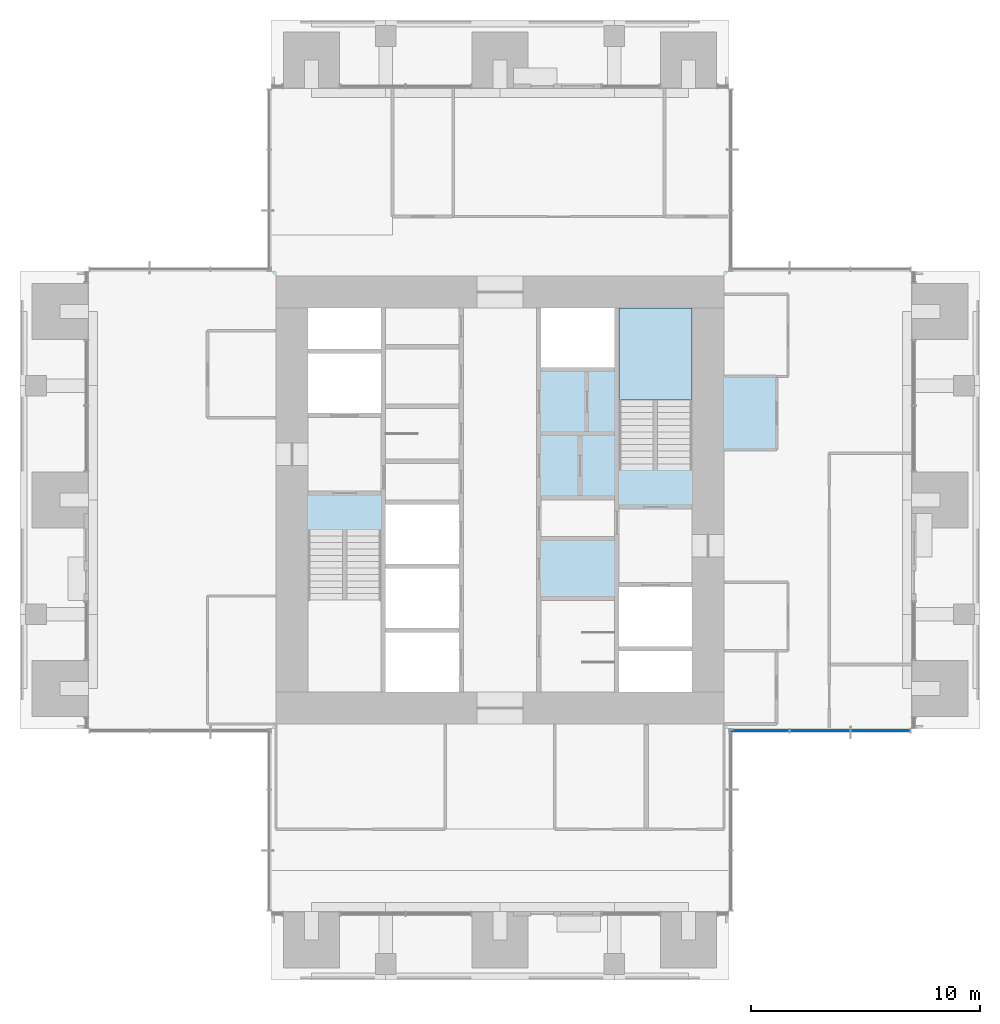
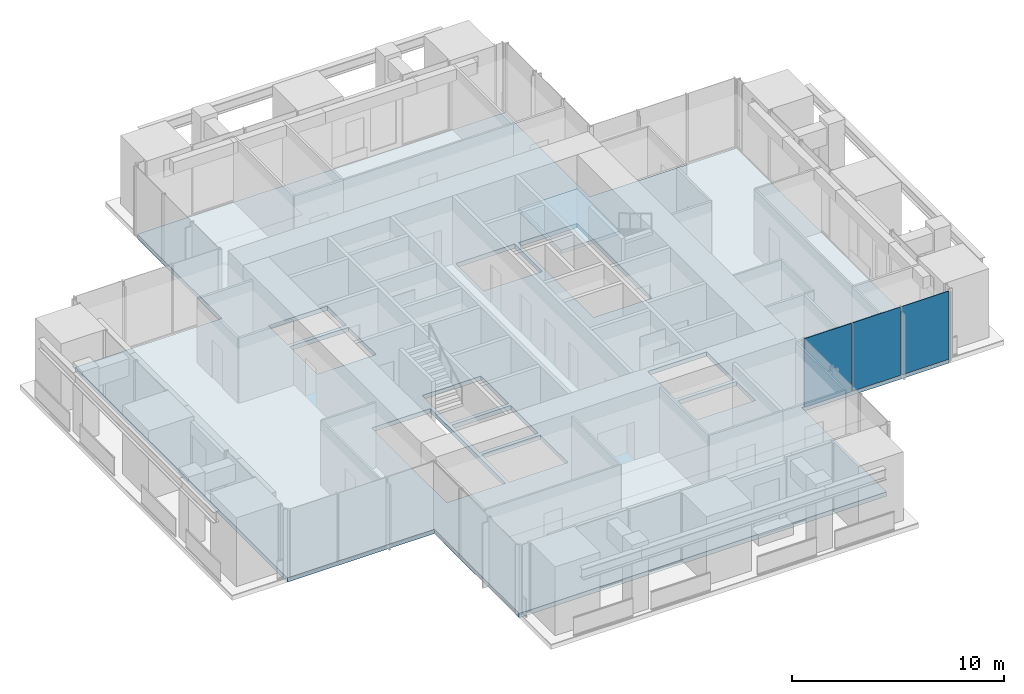
# One storey, part 9 of 17: 3 plates, 2 slabs, 2 elements without a shape of their own.
"""IFC4 building model written with IfcOpenShell, lengths in metres."""

from ifc_helpers import new_model, si_unit, direction, frame, origin, origin_2d, place, context, subcontext, project, spatial, polyline, rectangle, outline, extrude, material, layer, layer_set, type_object, element, aggregate, save


model = new_model("IFC4")

# Units and contexts
model_context = context("Model", 3, precision=1e-05, world=origin(), true_north=direction((0.0, 1.0)))
body_context = subcontext(model_context, "Body", "Model", "MODEL_VIEW")
ifc_project = project(units=[si_unit("LENGTHUNIT", "METRE"), si_unit("AREAUNIT", "SQUARE_METRE"), si_unit("VOLUMEUNIT", "CUBIC_METRE"), si_unit("PLANEANGLEUNIT", "RADIAN"), si_unit("MASSUNIT", "GRAM", prefix="KILO")], contexts=[model_context])

# Site, building, storey
site_placement = place(None, origin())
site = spatial("IfcSite", under=ifc_project, at=site_placement, CompositionType="ELEMENT")
building_placement = place(site_placement, origin())
building = spatial("IfcBuilding", under=site, at=building_placement, Name="Svetlomir Tower", CompositionType="ELEMENT")
storey_placement = place(building_placement, frame((0.0, 0.0, 226.5)))
storey = spatial("IfcBuildingStorey", under=building, at=storey_placement, Name="L54", CompositionType="ELEMENT", Elevation=226.5)

# Curtain wall, plates
ifc_material_1 = material(Name="Bronze anodised aluminium curtain wall", Category="aluminium")
curtain_wall_type = type_object("IfcCurtainWallType", Name="CURTAIN WALL CW1 TOWER OFFICE", PredefinedType="NOTDEFINED", material=ifc_material_1)
curtain_wall_placement = place(storey_placement, origin())
curtain_wall = element("IfcCurtainWall", 1, at=curtain_wall_placement, inside=storey, type_object=curtain_wall_type, Name="Curtain wall CW1 L54", PredefinedType="NOTDEFINED")
ifc_material_2 = material(Name="Tinted double glazed unit", Category="glass")
ifc_layer_1 = layer(ifc_material_2, 0.031982421875)
ifc_layer_set_1 = layer_set([ifc_layer_1], Name="Tinted double glazed unit")
plate_type = type_object("IfcPlateType", Name="CW1 GLAZED PANEL 32", PredefinedType="CURTAIN_PANEL", material=ifc_layer_set_1)
plate_1_placement = place(storey_placement, frame((32.349609375, 10.89990234375, 0.06494140625), z_axis=(0.0, 0.0, 1.0), x_axis=(1.0, 0.0, 0.0)))
plate_1 = element("IfcPlate", 2, at=plate_1_placement, type_object=plate_type, Name="CW1 panel 1.1", PredefinedType="CURTAIN_PANEL", context=body_context, shape_type="SweptSolid", body=[
    extrude(rectangle(XDim=2.569091796875, YDim=0.031982421875, at=origin_2d()), origin(), (0.0, 0.0, 1.0), 3.93505859375),
])
plate_2_placement = place(storey_placement, frame((35.0, 10.89990234375, 0.06494140625), z_axis=(0.0, 0.0, 1.0), x_axis=(1.0, 0.0, 0.0)))
plate_2 = element("IfcPlate", 3, at=plate_2_placement, type_object=plate_type, Name="CW1 panel 2.1", PredefinedType="CURTAIN_PANEL", context=body_context, shape_type="SweptSolid", body=[
    extrude(rectangle(XDim=2.6015625, YDim=0.031982421875, at=origin_2d()), origin(), (0.0, 0.0, 1.0), 3.93505859375),
])
plate_3_placement = place(storey_placement, frame((37.650390625, 10.89990234375, 0.06494140625), z_axis=(0.0, 0.0, 1.0), x_axis=(1.0, 0.0, 0.0)))
plate_3 = element("IfcPlate", 4, at=plate_3_placement, type_object=plate_type, Name="CW1 panel 3.1", PredefinedType="CURTAIN_PANEL", context=body_context, shape_type="SweptSolid", body=[
    extrude(rectangle(XDim=2.569091796875, YDim=0.031982421875, at=origin_2d()), origin(), (0.0, 0.0, 1.0), 3.93505859375),
])
aggregate(curtain_wall, [plate_1, plate_2, plate_3])

# Slab
ifc_material_3 = material(Name="Concrete C60/75", Category="concrete")
ifc_layer_2 = layer(ifc_material_3, 0.25)
ifc_layer_set_2 = layer_set([ifc_layer_2], Name="Concrete C60/75")
slab_type_1 = type_object("IfcSlabType", Name="FLOOR SLAB 250", PredefinedType="FLOOR", material=ifc_layer_set_2)
slab_1_placement = place(storey_placement, frame((0.0, 0.0, -0.25)))
element("IfcSlab", 5, at=slab_1_placement, inside=storey, type_object=slab_type_1, Name="L54 floor slab", PredefinedType="FLOOR", context=body_context, shape_type="SweptSolid", body=[
    extrude(outline(polyline([(11.0, 3.0), (31.0, 3.0), (31.0, 11.0), (39.0, 11.0), (39.0, 31.0), (31.0, 31.0), (31.0, 39.0), (11.0, 39.0), (11.0, 31.0), (3.0, 31.0), (3.0, 11.0), (11.0, 11.0), (11.0, 3.0)]), holes=[polyline([(12.60009765625, 24.800048828125), (15.800048828125, 24.800048828125), (15.800048828125, 27.39990234375), (12.60009765625, 27.39990234375), (12.60009765625, 24.800048828125)]), polyline([(26.199951171875, 14.60009765625), (29.39990234375, 14.60009765625), (29.39990234375, 17.199951171875), (26.199951171875, 17.199951171875), (26.199951171875, 14.60009765625)]), polyline([(16.0, 12.60009765625), (19.199951171875, 12.60009765625), (19.199951171875, 15.199951171875), (16.0, 15.199951171875), (16.0, 12.60009765625)]), polyline([(16.0, 15.39990234375), (19.199951171875, 15.39990234375), (19.199951171875, 18.0), (16.0, 18.0), (16.0, 15.39990234375)]), polyline([(16.0, 18.199951171875), (19.199951171875, 18.199951171875), (19.199951171875, 20.800048828125), (16.0, 20.800048828125), (16.0, 18.199951171875)]), polyline([(22.800048828125, 26.800048828125), (26.0, 26.800048828125), (26.0, 29.39990234375), (22.800048828125, 29.39990234375), (22.800048828125, 26.800048828125)]), polyline([(12.60009765625, 27.60009765625), (15.800048828125, 27.60009765625), (15.800048828125, 29.39990234375), (12.60009765625, 29.39990234375), (12.60009765625, 27.60009765625)]), polyline([(26.199951171875, 12.60009765625), (29.39990234375, 12.60009765625), (29.39990234375, 14.39990234375), (26.199951171875, 14.39990234375), (26.199951171875, 12.60009765625)]), polyline([(12.60009765625, 12.60009765625), (15.800048828125, 12.60009765625), (15.800048828125, 19.679931640625), (12.60009765625, 19.679931640625), (12.60009765625, 12.60009765625)]), polyline([(26.199951171875, 22.320068359375), (29.39990234375, 22.320068359375), (29.39990234375, 29.39990234375), (26.199951171875, 29.39990234375), (26.199951171875, 22.320068359375)])]), origin(), (0.0, 0.0, 1.0), 0.25),
])

# Stair, slab
ifc_material_4 = material(Name="Concrete C60/75", Category="concrete")
stair_type = type_object("IfcStairType", Name="EXIT STAIR 3200 RISE 4000", PredefinedType="HALF_TURN_STAIR", material=ifc_material_4)
stair_placement = place(storey_placement, origin())
stair = element("IfcStair", 6, at=stair_placement, inside=storey, type_object=stair_type, Name="Stair S2 L54 to L55", PredefinedType="HALF_TURN_STAIR")
ifc_material_5 = material(Name="Concrete C60/75", Category="concrete")
ifc_layer_3 = layer(ifc_material_5, 0.199951171875)
ifc_layer_set_3 = layer_set([ifc_layer_3], Name="Concrete C60/75")
slab_type_2 = type_object("IfcSlabType", Name="STAIR LANDING 200", PredefinedType="LANDING", material=ifc_layer_set_3)
slab_2_placement = place(storey_placement, frame((0.0, 0.0, 1.800048828125)))
slab_2 = element("IfcSlab", 7, at=slab_2_placement, type_object=slab_type_2, Name="S2 landing 1", PredefinedType="LANDING", context=body_context, shape_type="SweptSolid", body=[
    extrude(outline(polyline([(26.199951171875, 25.3798828125), (29.39990234375, 25.3798828125), (29.39990234375, 29.39990234375), (26.199951171875, 29.39990234375), (26.199951171875, 25.3798828125)])), origin(), (0.0, 0.0, 1.0), 0.199951171875),
])
aggregate(stair, [slab_2])

save(model, "model.ifc")
